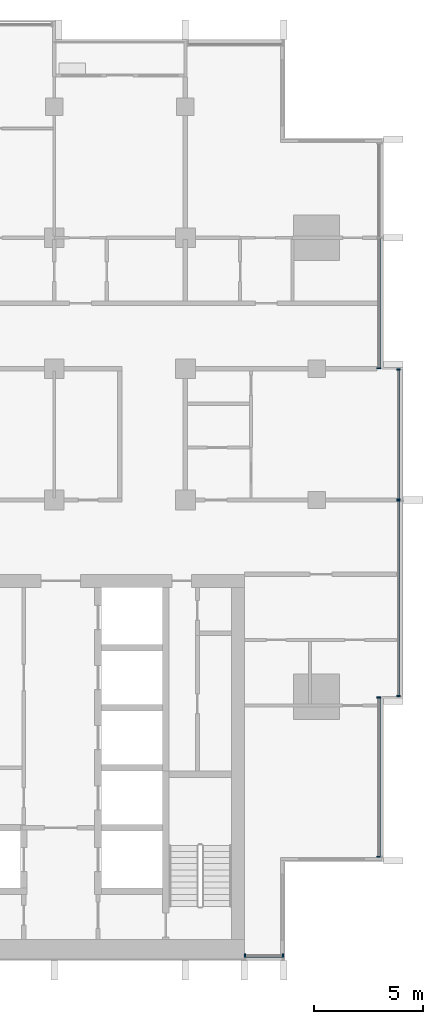
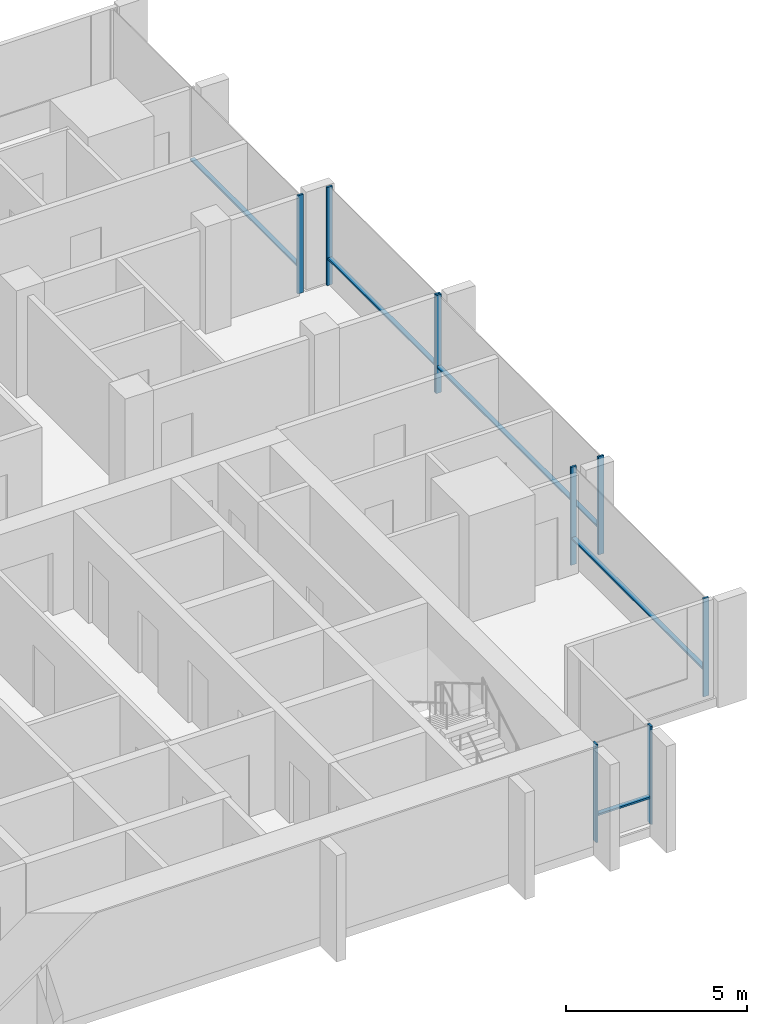
# One storey, part 3 of 16: 14 members, 5 elements without a shape of their own.
"""IFC4 building model written with IfcOpenShell, lengths in metres."""

import ifcopenshell
import ifcopenshell.guid

model = None  # the IFC model being written
_history = None  # IfcOwnerHistory: only IFC2X3 demands one
_inside = {}  # id of a spatial element -> (the spatial element, [elements in it])
_under = {}  # id of a project, library or spatial element -> (it, [spatial elements below it])
_declared = {}  # id of a project -> (the project, [libraries it declares])
_typed = {}  # id of a type object -> (the type object, [elements of that type])
_made_of = {}  # id of a material, layer set ... -> (it, [elements and type objects made of it])


def new_model(schema):
    """Start an empty IFC model of exactly this schema.

    Asked for "IFC4X3", IfcOpenShell would pick the latest addendum, in which some entities
    have other attributes; the version numbers below select the first issue.
    IFC2X3 requires an IfcOwnerHistory on every rooted entity: one is made here for all.
    """
    global model, _history
    if schema == "IFC4X3":
        model = ifcopenshell.file(schema_version=(4, 3, 0, 0))
    else:
        model = ifcopenshell.file(schema=schema)
    _inside.clear()
    _under.clear()
    _declared.clear()
    _typed.clear()
    _made_of.clear()
    _history = None
    if model.schema == "IFC2X3":
        org = make("IfcOrganization", Name="unknown")
        user = make(
            "IfcPersonAndOrganization",
            ThePerson=make("IfcPerson", FamilyName="unknown"),
            TheOrganization=org,
        )
        app = make(
            "IfcApplication",
            ApplicationDeveloper=org,
            Version="unknown",
            ApplicationFullName="unknown",
            ApplicationIdentifier="unknown",
        )
        _history = make(
            "IfcOwnerHistory",
            OwningUser=user,
            OwningApplication=app,
            ChangeAction="ADDED",
            CreationDate=0,
        )
    return model


def make(cls, **values):
    """One entity of the class cls with the attributes given. An attribute that is None is left unset."""
    return model.create_entity(
        cls, **{name: value for name, value in values.items() if value is not None}
    )


def rooted(cls, **values):
    """An entity with a GlobalId (a new one), such as an element, a storey or a relation."""
    return make(cls, GlobalId=ifcopenshell.guid.new(), OwnerHistory=_history, **values)


def si_unit(unit_type, name, prefix=None):
    """IfcSIUnit, for example si_unit("LENGTHUNIT", "METRE", prefix="MILLI")."""
    return make("IfcSIUnit", UnitType=unit_type, Prefix=prefix, Name=name)


def assignment(units):
    """IfcUnitAssignment: the units of a project."""
    return None if units is None else make("IfcUnitAssignment", Units=units)


def point(xyz):
    """IfcCartesianPoint."""
    return None if xyz is None else make("IfcCartesianPoint", Coordinates=xyz)


def direction(xyz):
    """IfcDirection."""
    return None if xyz is None else make("IfcDirection", DirectionRatios=xyz)


def frame(location, z_axis=None, x_axis=None):
    """IfcAxis2Placement3D, a coordinate frame: its origin and axes. An axis left out is left unset."""
    return make(
        "IfcAxis2Placement3D",
        Location=point(location),
        Axis=direction(z_axis),
        RefDirection=direction(x_axis),
    )


def frame_2d(location, x_axis=None):
    """IfcAxis2Placement2D, a coordinate frame in the plane: its origin and x axis."""
    return make(
        "IfcAxis2Placement2D", Location=point(location), RefDirection=direction(x_axis)
    )


def origin():
    """The frame at (0, 0, 0) with its axes left unset."""
    return frame((0.0, 0.0, 0.0))


def origin_2d():
    """The frame at (0, 0) in the plane with its x axis left unset."""
    return frame_2d((0.0, 0.0))


def place(relative_to, where):
    """IfcLocalPlacement: puts the frame where relative to a parent placement (None: the world)."""
    return make(
        "IfcLocalPlacement", PlacementRelTo=relative_to, RelativePlacement=where
    )


def context(
    kind, dimensions, precision=None, world=None, true_north=None, identifier=None
):
    """IfcGeometricRepresentationContext, for example the 3D "Model" context."""
    return make(
        "IfcGeometricRepresentationContext",
        ContextIdentifier=identifier,
        ContextType=kind,
        CoordinateSpaceDimension=dimensions,
        Precision=precision,
        WorldCoordinateSystem=world,
        TrueNorth=true_north,
    )


def subcontext(parent, identifier, kind, view, scale=None):
    """IfcGeometricRepresentationSubContext, for example "Body" below "Model"."""
    return make(
        "IfcGeometricRepresentationSubContext",
        ContextIdentifier=identifier,
        ContextType=kind,
        ParentContext=parent,
        TargetScale=scale,
        TargetView=view,
    )


def project(units=None, contexts=None):
    """IfcProject with its units and contexts."""
    return rooted(
        "IfcProject",
        Name="project",
        RepresentationContexts=contexts,
        UnitsInContext=assignment(units),
    )


def spatial(cls, under=None, at=None, **own):
    """A site, building, storey or space (cls), placed at a placement, below another one or the project."""
    s = rooted(cls, ObjectPlacement=at, **own)
    if under is not None:
        _under.setdefault(under.id(), (under, []))[1].append(s)
    return s


def profile(cls, at=None, kind="AREA", **sizes):
    """A parametric profile (cls). Its sizes go by their IFC names, for example OverallWidth=200.0."""
    return make(cls, ProfileType=kind, Position=at, **sizes)


def rectangle(**sizes):
    """IfcRectangleProfileDef."""
    return profile("IfcRectangleProfileDef", **sizes)


def extrude(swept, where, along, depth):
    """IfcExtrudedAreaSolid: the profile swept, set in the frame where, extruded along a direction by depth."""
    return make(
        "IfcExtrudedAreaSolid",
        SweptArea=swept,
        Position=where,
        ExtrudedDirection=direction(along),
        Depth=depth,
    )


def shape(context_of_items, identifier, shape_type, items):
    """IfcShapeRepresentation: the items that make up one representation, for example the "Body"."""
    return make(
        "IfcShapeRepresentation",
        ContextOfItems=context_of_items,
        RepresentationIdentifier=identifier,
        RepresentationType=shape_type,
        Items=items,
    )


def material(Name=None, Category=None):
    """IfcMaterial."""
    return make("IfcMaterial", Name=Name, Category=Category)


def material_profile(
    of_material, cross_section, Name=None, Category=None, Priority=None
):
    """IfcMaterialProfile: a cross section and its material."""
    return make(
        "IfcMaterialProfile",
        Name=Name,
        Material=of_material,
        Profile=cross_section,
        Priority=Priority,
        Category=Category,
    )


def profile_set(profiles, Name=None, composite=None):
    """IfcMaterialProfileSet."""
    return make(
        "IfcMaterialProfileSet",
        Name=Name,
        MaterialProfiles=profiles,
        CompositeProfile=composite,
    )


def made_of(thing, what):
    """Note that an element or type object is made of a material, layer set ...; save() writes the relation."""
    if what is not None:
        _made_of.setdefault(what.id(), (what, []))[1].append(thing)
    return thing


def type_object(cls, material=None, **own):
    """A type object (cls), such as IfcWallType, which elements share."""
    return made_of(rooted(cls, **own), material)


def element(
    cls,
    number,
    at=None,
    inside=None,
    cuts=None,
    type_object=None,
    material=None,
    context=None,
    identifier="Body",
    shape_type=None,
    held_by="IfcProductDefinitionShape",
    body=None,
    shapes=None,
    **own,
):
    """One element of the class cls, such as IfcWall. Its Tag is "e" and its number.

    at: its placement. inside: the storey or other place that contains it. cuts: it is an
    opening in that element (IfcRelVoidsElement). A single representation is given by context,
    identifier, shape_type and body (its items); several are given by shapes. held_by: the class
    of the entity that holds the representations. save() writes the other relations.
    """
    e = rooted(cls, Tag="e%d" % number, ObjectPlacement=at, **own)
    if body is not None:
        shapes = [shape(context, identifier, shape_type, body)]
    if shapes is not None:
        e.Representation = make(held_by, Representations=shapes)
    if inside is not None:
        _inside.setdefault(inside.id(), (inside, []))[1].append(e)
    if cuts is not None:
        rooted(
            "IfcRelVoidsElement", RelatingBuildingElement=cuts, RelatedOpeningElement=e
        )
    if type_object is not None:
        _typed.setdefault(type_object.id(), (type_object, []))[1].append(e)
    return made_of(e, material)


def aggregate(whole, parts):
    """IfcRelAggregates: a whole, such as a stair, and the parts it consists of."""
    return rooted("IfcRelAggregates", RelatingObject=whole, RelatedObjects=parts)


def save(model, path):
    """Write the relations noted so far, then the file.

    IfcRelAggregates (storeys below a building ...), IfcRelContainedInSpatialStructure (elements
    in a storey), IfcRelDefinesByType, IfcRelAssociatesMaterial and IfcRelDeclares: one each for
    every whole, place, type object, material and project.
    """
    for whole, parts in _under.values():
        aggregate(whole, parts)
    for where, things in _inside.values():
        rooted(
            "IfcRelContainedInSpatialStructure",
            RelatedElements=things,
            RelatingStructure=where,
        )
    for kind, things in _typed.values():
        rooted("IfcRelDefinesByType", RelatedObjects=things, RelatingType=kind)
    for what, things in _made_of.values():
        rooted("IfcRelAssociatesMaterial", RelatedObjects=things, RelatingMaterial=what)
    for by, libraries in _declared.values():
        rooted("IfcRelDeclares", RelatingContext=by, RelatedDefinitions=libraries)
    model.write(path)


model = new_model("IFC4")

# Units and contexts
model_context = context("Model", 3, precision=1e-05, world=origin(), true_north=direction((0.0, 1.0)))
body_context = subcontext(model_context, "Body", "Model", "MODEL_VIEW")
ifc_project = project(units=[si_unit("LENGTHUNIT", "METRE"), si_unit("AREAUNIT", "SQUARE_METRE"), si_unit("VOLUMEUNIT", "CUBIC_METRE"), si_unit("PLANEANGLEUNIT", "RADIAN"), si_unit("MASSUNIT", "GRAM", prefix="KILO")], contexts=[model_context])

# Site, building, storey
site_placement = place(None, origin())
site = spatial("IfcSite", under=ifc_project, at=site_placement, CompositionType="ELEMENT")
building_placement = place(site_placement, origin())
building = spatial("IfcBuilding", under=site, at=building_placement, Name="Finial Court Residences", CompositionType="ELEMENT")
storey_placement = place(building_placement, frame((0.0, 0.0, 233.89990234375)))
storey = spatial("IfcBuildingStorey", under=building, at=storey_placement, Name="L59", CompositionType="ELEMENT", Elevation=233.89990234375)

# Curtain wall, members
ifc_material = material(Name="Bronze anodised aluminium", Category="aluminium")
curtain_wall_type = type_object("IfcCurtainWallType", Name="Unitised curtain wall, upper zones", PredefinedType="NOTDEFINED", material=ifc_material)
curtain_wall_1_placement = place(storey_placement, origin())
curtain_wall_1 = element("IfcCurtainWall", 1, at=curtain_wall_1_placement, inside=storey, type_object=curtain_wall_type, Name="E-L59-CW-E4", PredefinedType="NOTDEFINED")
ifc_material_profile_1 = material_profile(ifc_material, rectangle(XDim=0.175048828125, YDim=0.06005859375, at=origin_2d()), Name="CW2 mullion 60 x 175")
ifc_profile_set_1 = profile_set([ifc_material_profile_1], Name="Bronze anodised aluminium")
member_type_1 = type_object("IfcMemberType", Name="CW2 mullion 60 x 175", PredefinedType="MULLION", material=ifc_profile_set_1)
member_1_placement = place(storey_placement, frame((19.35009765625, -20.820068359375, 0.0), z_axis=(0.0, 0.0, 1.0), x_axis=(-1.0, 0.0, 0.0)))
member_1 = element("IfcMember", 2, at=member_1_placement, type_object=member_type_1, Name="CW2 mullion 1", PredefinedType="MULLION", context=body_context, shape_type="SweptSolid", body=[
    extrude(rectangle(XDim=0.175048828125, YDim=0.06005859375, at=origin_2d()), origin(), (0.0, 0.0, 1.0), 3.300048828125),
])
member_2_placement = place(storey_placement, frame((19.35009765625, -13.530029296875, 0.0), z_axis=(0.0, 0.0, 1.0), x_axis=(-1.0, 0.0, 0.0)))
member_2 = element("IfcMember", 3, at=member_2_placement, type_object=member_type_1, Name="CW2 mullion 2", PredefinedType="MULLION", context=body_context, shape_type="SweptSolid", body=[
    extrude(rectangle(XDim=0.175048828125, YDim=0.06005859375, at=origin_2d()), origin(), (0.0, 0.0, 1.0), 3.300048828125),
])

curtain_wall_2_placement = place(storey_placement, origin())
curtain_wall_2 = element("IfcCurtainWall", 4, at=curtain_wall_2_placement, inside=storey, type_object=curtain_wall_type, Name="E-L59-CW-E5", PredefinedType="NOTDEFINED")
member_3_placement = place(storey_placement, frame((20.25, -13.469970703125, 0.0), z_axis=(0.0, 0.0, 1.0), x_axis=(-1.0, 0.0, 0.0)))
member_3 = element("IfcMember", 5, at=member_3_placement, type_object=member_type_1, Name="CW2 mullion 1", PredefinedType="MULLION", context=body_context, shape_type="SweptSolid", body=[
    extrude(rectangle(XDim=0.175048828125, YDim=0.06005859375, at=origin_2d()), origin(), (0.0, 0.0, 1.0), 3.300048828125),
])
member_4_placement = place(storey_placement, frame((20.25, -4.530029296875, 0.0), z_axis=(0.0, 0.0, 1.0), x_axis=(-1.0, 0.0, 0.0)))
member_4 = element("IfcMember", 6, at=member_4_placement, type_object=member_type_1, Name="CW2 mullion 2", PredefinedType="MULLION", context=body_context, shape_type="SweptSolid", body=[
    extrude(rectangle(XDim=0.175048828125, YDim=0.06005859375, at=origin_2d()), origin(), (0.0, 0.0, 1.0), 3.300048828125),
])

curtain_wall_3_placement = place(storey_placement, origin())
curtain_wall_3 = element("IfcCurtainWall", 7, at=curtain_wall_3_placement, inside=storey, type_object=curtain_wall_type, Name="E-L59-CW-E6", PredefinedType="NOTDEFINED")
member_5_placement = place(storey_placement, frame((20.25, -4.469970703125, 0.0), z_axis=(0.0, 0.0, 1.0), x_axis=(-1.0, 0.0, 0.0)))
member_5 = element("IfcMember", 8, at=member_5_placement, type_object=member_type_1, Name="CW2 mullion 1", PredefinedType="MULLION", context=body_context, shape_type="SweptSolid", body=[
    extrude(rectangle(XDim=0.175048828125, YDim=0.06005859375, at=origin_2d()), origin(), (0.0, 0.0, 1.0), 3.300048828125),
])
member_6_placement = place(storey_placement, frame((20.25, 1.469970703125, 0.0), z_axis=(0.0, 0.0, 1.0), x_axis=(-1.0, 0.0, 0.0)))
member_6 = element("IfcMember", 9, at=member_6_placement, type_object=member_type_1, Name="CW2 mullion 2", PredefinedType="MULLION", context=body_context, shape_type="SweptSolid", body=[
    extrude(rectangle(XDim=0.175048828125, YDim=0.06005859375, at=origin_2d()), origin(), (0.0, 0.0, 1.0), 3.300048828125),
])

# Curtain wall, member
curtain_wall_4_placement = place(storey_placement, origin())
curtain_wall_4 = element("IfcCurtainWall", 10, at=curtain_wall_4_placement, inside=storey, type_object=curtain_wall_type, Name="E-L59-CW-E7", PredefinedType="NOTDEFINED")
member_7_placement = place(storey_placement, frame((19.35009765625, 1.530029296875, 0.0), z_axis=(0.0, 0.0, 1.0), x_axis=(-1.0, 0.0, 0.0)))
member_7 = element("IfcMember", 11, at=member_7_placement, type_object=member_type_1, Name="CW2 mullion 1", PredefinedType="MULLION", context=body_context, shape_type="SweptSolid", body=[
    extrude(rectangle(XDim=0.175048828125, YDim=0.06005859375, at=origin_2d()), origin(), (0.0, 0.0, 1.0), 3.300048828125),
])

# Curtain wall, members
curtain_wall_5_placement = place(storey_placement, origin())
curtain_wall_5 = element("IfcCurtainWall", 12, at=curtain_wall_5_placement, inside=storey, type_object=curtain_wall_type, Name="E-L59-CW-S9", PredefinedType="NOTDEFINED")
member_8_placement = place(storey_placement, frame((13.22998046875, -25.35009765625, 0.0), z_axis=(0.0, 0.0, 1.0), x_axis=(0.0, 1.0, 0.0)))
member_8 = element("IfcMember", 13, at=member_8_placement, type_object=member_type_1, Name="CW2 mullion 1", PredefinedType="MULLION", context=body_context, shape_type="SweptSolid", body=[
    extrude(rectangle(XDim=0.175048828125, YDim=0.06005859375, at=origin_2d()), origin(), (0.0, 0.0, 1.0), 3.300048828125),
])
member_9_placement = place(storey_placement, frame((14.969970703125, -25.35009765625, 0.0), z_axis=(0.0, 0.0, 1.0), x_axis=(0.0, 1.0, 0.0)))
member_9 = element("IfcMember", 14, at=member_9_placement, type_object=member_type_1, Name="CW2 mullion 2", PredefinedType="MULLION", context=body_context, shape_type="SweptSolid", body=[
    extrude(rectangle(XDim=0.175048828125, YDim=0.06005859375, at=origin_2d()), origin(), (0.0, 0.0, 1.0), 3.300048828125),
])

# Member
ifc_material_profile_2 = material_profile(ifc_material, rectangle(XDim=0.139892578125, YDim=0.06005859375, at=origin_2d()), Name="CW2 transom 60 x 140")
ifc_profile_set_2 = profile_set([ifc_material_profile_2], Name="Bronze anodised aluminium")
member_type_2 = type_object("IfcMemberType", Name="CW2 transom 60 x 140", PredefinedType="USERDEFINED", material=ifc_profile_set_2)
member_10_placement = place(storey_placement, frame((19.35009765625, -20.7900390625, 0.900146484375), z_axis=(0.0, 1.0, 0.0), x_axis=(-1.0, 0.0, 0.0)))
member_10 = element("IfcMember", 15, at=member_10_placement, type_object=member_type_2, Name="CW2 transom 1.1", ObjectType="TRANSOM", PredefinedType="USERDEFINED", context=body_context, shape_type="SweptSolid", body=[
    extrude(rectangle(XDim=0.139892578125, YDim=0.06005859375, at=origin_2d()), origin(), (0.0, 0.0, 1.0), 7.22998046875),
])

aggregate(curtain_wall_1, [member_1, member_2, member_10])

member_11_placement = place(storey_placement, frame((20.25, -13.43994140625, 0.900146484375), z_axis=(0.0, 1.0, 0.0), x_axis=(-1.0, 0.0, 0.0)))
member_11 = element("IfcMember", 16, at=member_11_placement, type_object=member_type_2, Name="CW2 transom 1.1", ObjectType="TRANSOM", PredefinedType="USERDEFINED", context=body_context, shape_type="SweptSolid", body=[
    extrude(rectangle(XDim=0.139892578125, YDim=0.06005859375, at=origin_2d()), origin(), (0.0, 0.0, 1.0), 8.8798828125),
])

aggregate(curtain_wall_2, [member_3, member_4, member_11])

member_12_placement = place(storey_placement, frame((20.25, -4.43994140625, 0.900146484375), z_axis=(0.0, 1.0, 0.0), x_axis=(-1.0, 0.0, 0.0)))
member_12 = element("IfcMember", 17, at=member_12_placement, type_object=member_type_2, Name="CW2 transom 1.1", ObjectType="TRANSOM", PredefinedType="USERDEFINED", context=body_context, shape_type="SweptSolid", body=[
    extrude(rectangle(XDim=0.139892578125, YDim=0.06005859375, at=origin_2d()), origin(), (0.0, 0.0, 1.0), 5.8798828125),
])

aggregate(curtain_wall_3, [member_5, member_6, member_12])

member_13_placement = place(storey_placement, frame((19.35009765625, 1.56005859375, 0.900146484375), z_axis=(0.0, 1.0, 0.0), x_axis=(-1.0, 0.0, 0.0)))
member_13 = element("IfcMember", 18, at=member_13_placement, type_object=member_type_2, Name="CW2 transom 1.1", ObjectType="TRANSOM", PredefinedType="USERDEFINED", context=body_context, shape_type="SweptSolid", body=[
    extrude(rectangle(XDim=0.139892578125, YDim=0.06005859375, at=origin_2d()), origin(), (0.0, 0.0, 1.0), 5.909912109375),
])

aggregate(curtain_wall_4, [member_7, member_13])

member_14_placement = place(storey_placement, frame((13.260009765625, -25.35009765625, 0.900146484375), z_axis=(1.0, 0.0, 0.0), x_axis=(0.0, 1.0, 0.0)))
member_14 = element("IfcMember", 19, at=member_14_placement, type_object=member_type_2, Name="CW2 transom 1.1", ObjectType="TRANSOM", PredefinedType="USERDEFINED", context=body_context, shape_type="SweptSolid", body=[
    extrude(rectangle(XDim=0.139892578125, YDim=0.06005859375, at=origin_2d()), origin(), (0.0, 0.0, 1.0), 1.679931640625),
])

aggregate(curtain_wall_5, [member_8, member_9, member_14])

save(model, "model.ifc")
